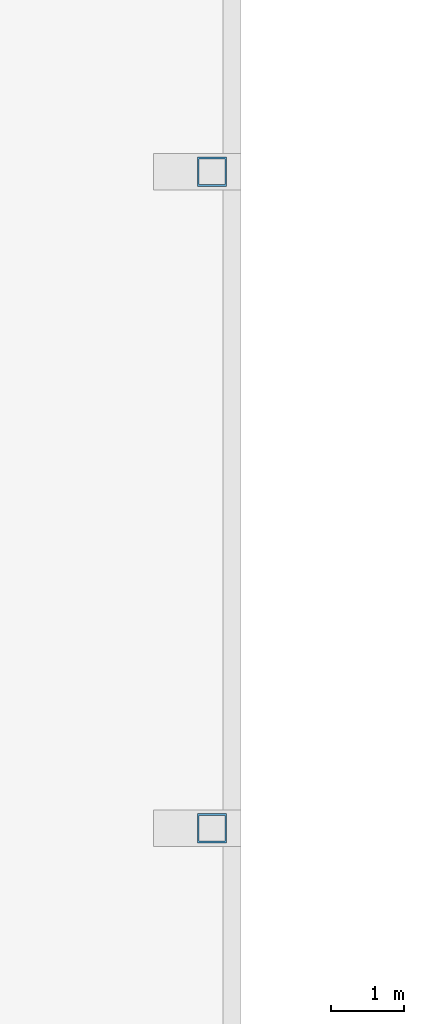
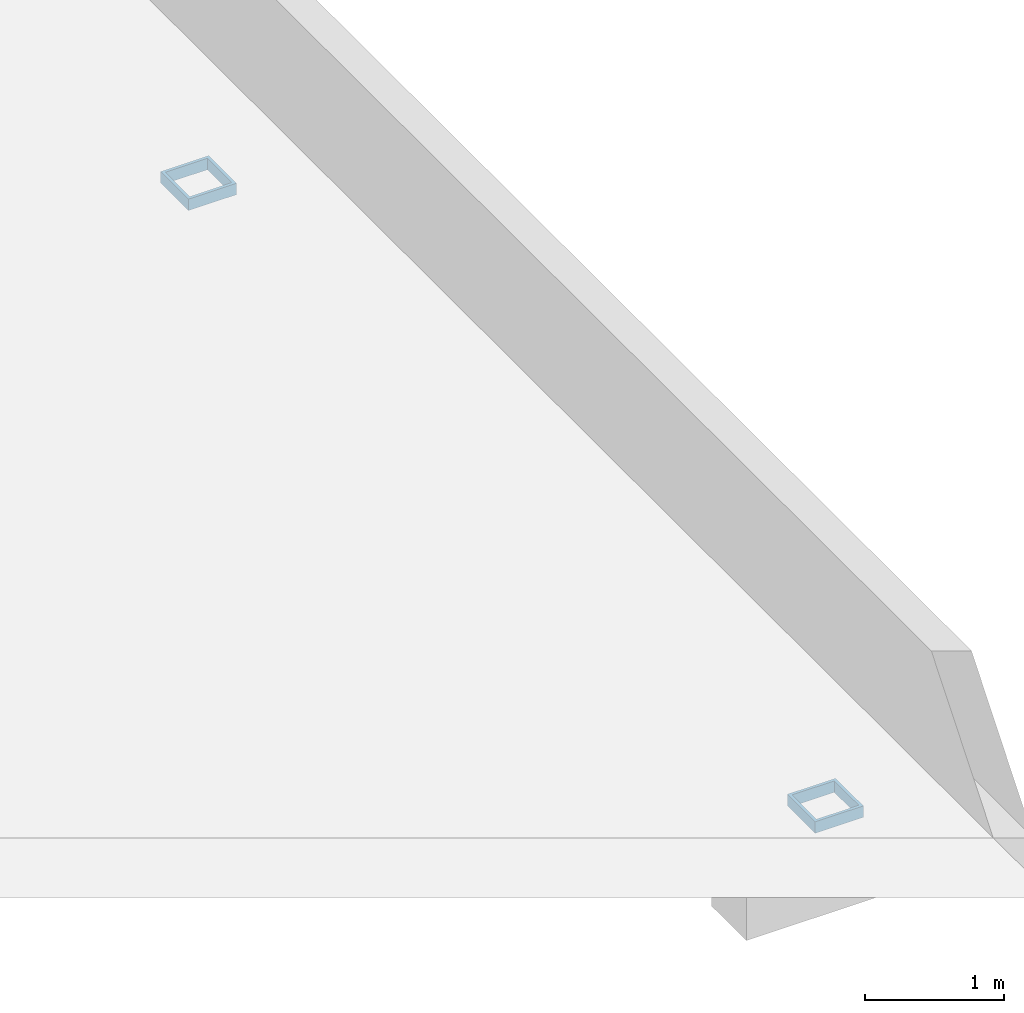
# One storey, part 13 of 51: 2 members.
"""IFC4 building model written with IfcOpenShell, lengths in metres."""

from ifc_helpers import new_model, si_unit, direction, frame, origin, origin_2d, place, context, subcontext, project, spatial, hollow_rectangle, extrude, material, material_profile, profile_set, type_object, element, save


model = new_model("IFC4")

# Units and contexts
model_context = context("Model", 3, precision=1e-05, world=origin(), true_north=direction((0.0, 1.0)))
body_context = subcontext(model_context, "Body", "Model", "MODEL_VIEW")
ifc_project = project(units=[si_unit("LENGTHUNIT", "METRE"), si_unit("AREAUNIT", "SQUARE_METRE"), si_unit("VOLUMEUNIT", "CUBIC_METRE"), si_unit("PLANEANGLEUNIT", "RADIAN"), si_unit("MASSUNIT", "GRAM", prefix="KILO")], contexts=[model_context])

# Site, building, storey
site_placement = place(None, origin())
site = spatial("IfcSite", under=ifc_project, at=site_placement, CompositionType="ELEMENT")
building_placement = place(site_placement, origin())
building = spatial("IfcBuilding", under=site, at=building_placement, Name="Ogive Portal Towers", CompositionType="ELEMENT")
storey_placement = place(building_placement, frame((0.0, 0.0, 33.5)))
storey = spatial("IfcBuildingStorey", under=building, at=storey_placement, Name="L06", CompositionType="ELEMENT", Elevation=33.5)

# Members
ifc_material = material(Name="Steel S355", Category="steel")
ifc_material_profile = material_profile(ifc_material, hollow_rectangle(XDim=0.39990234375, YDim=0.39990234375, WallThickness=0.02490234375, at=origin_2d()), Name="BOX 400x400x25")
ifc_profile_set = profile_set([ifc_material_profile], Name="Steel S355")
member_type = type_object("IfcMemberType", Name="BEARING BOX 400x400x25", PredefinedType="USERDEFINED", material=ifc_profile_set)
for number, where, z_axis, x_axis, name in (
    (1, (104.60009765625, 30.5, -1.02001953125), (0.0, 0.0, 1.0), (1.0, 0.0, 0.0), "Sliding bearing L06"),
    (2, (104.60009765625, 39.5, -1.02001953125), (0.0, 0.0, 1.0), (1.0, 0.0, 0.0), "Sliding bearing L06"),
):
    element("IfcMember", number, at=place(storey_placement, frame(where, z_axis=z_axis, x_axis=x_axis)), inside=storey, type_object=member_type, Name=name, ObjectType="BEARING", PredefinedType="USERDEFINED", context=body_context, shape_type="SweptSolid", body=[
        extrude(hollow_rectangle(XDim=0.39990234375, YDim=0.39990234375, WallThickness=0.02490234375, at=origin_2d()), origin(), (0.0, 0.0, 1.0), 0.10009765625),
    ])

save(model, "model.ifc")
